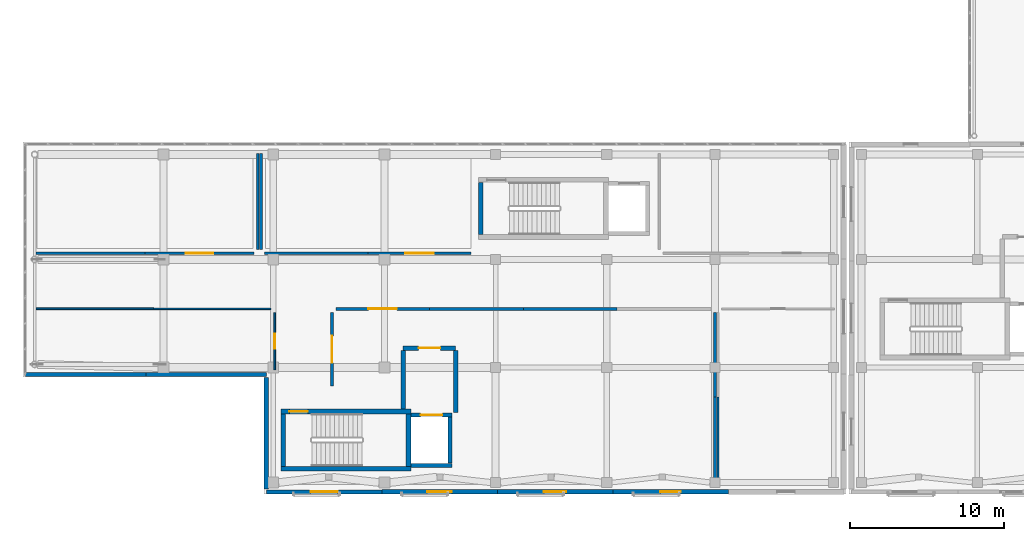
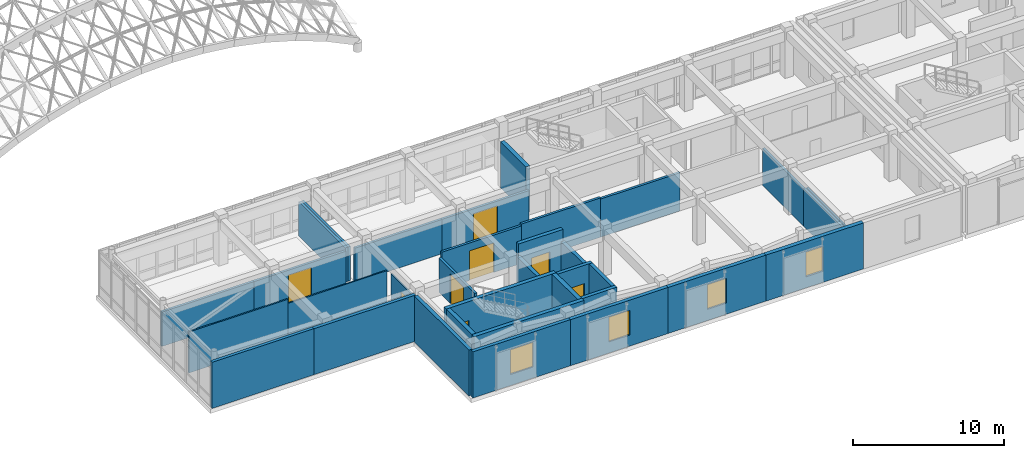
# One storey, part 130 of 146: 34 walls, 8 doors, 4 windows, 12 openings.
"""IFC4 building model written with IfcOpenShell, lengths in metres."""

from ifc_helpers import new_model, si_unit, direction, frame, frame_2d, origin, place, context, subcontext, project, spatial, rectangle, extrude, material, layer, layer_set, type_object, element, fill, save


model = new_model("IFC4")

# Units and contexts
model_context = context("Model", 3, precision=1e-05, world=origin(), true_north=direction((0.0, 1.0)))
body_context = subcontext(model_context, "Body", "Model", "MODEL_VIEW")
ifc_project = project(units=[si_unit("LENGTHUNIT", "METRE"), si_unit("AREAUNIT", "SQUARE_METRE"), si_unit("VOLUMEUNIT", "CUBIC_METRE"), si_unit("PLANEANGLEUNIT", "RADIAN"), si_unit("MASSUNIT", "GRAM", prefix="KILO")], contexts=[model_context])

# Site, building, storey
site_placement = place(None, origin())
site = spatial("IfcSite", under=ifc_project, at=site_placement, CompositionType="ELEMENT")
building_placement = place(site_placement, origin())
building = spatial("IfcBuilding", under=site, at=building_placement, Name="Valcora Specialist Clinic", CompositionType="ELEMENT")
storey_placement = place(building_placement, frame((0.0, 0.0, 9.52001953125)))
storey = spatial("IfcBuildingStorey", under=building, at=storey_placement, Name="L02", CompositionType="ELEMENT", Elevation=9.52001953125)

# Wall, opening, door
ifc_material_1 = material(Name="Concrete C40/50", Category="concrete")
ifc_layer_1 = layer(ifc_material_1, 0.284912109375)
ifc_layer_set_1 = layer_set([ifc_layer_1], Name="Concrete C40/50")
wall_type_1 = type_object("IfcWallType", Name="TY-WL-CR285", PredefinedType="SHEAR", material=ifc_layer_set_1)
wall_1_placement = place(storey_placement, frame((24.6201171875, 9.4599609375, 0.0), z_axis=(0.0, 0.0, 1.0), x_axis=(1.0, 0.0, 0.0)))
wall_1 = element("IfcWall", 1, at=wall_1_placement, inside=storey, type_object=wall_type_1, Name="Firefighting lobby front wall WL-FFL-LF-05-L02-F", PredefinedType="SHEAR", context=body_context, shape_type="SweptSolid", body=[
    extrude(rectangle(XDim=3.39990234375, YDim=0.284912109375, at=frame_2d((1.699951171875, 0.0))), origin(), (0.0, 0.0, 1.0), 3.73486328125),
])
opening_1_placement = place(wall_1_placement, frame((1.0, 0.0, 0.0)))
opening_1 = element("IfcOpeningElement", 2, at=opening_1_placement, cuts=wall_1, Name="Opening DR-FF-140", PredefinedType="OPENING", context=body_context, shape_type="SweptSolid", body=[
    extrude(rectangle(XDim=1.39990234375, YDim=2.25, at=frame_2d((0.699951171875, 1.125))), frame((0.0, 0.15234375, 0.0), z_axis=(0.0, -1.0, 0.0), x_axis=(1.0, 0.0, 0.0)), (0.0, 0.0, 1.0), 0.304931640625),
])
ifc_material_2 = material(Name="Galvanized Hollow Metal Door Steel ASTM A653", Category="steel")
door_type_1 = type_object("IfcDoorType", Name="TY-DR-FF140", OperationType="NOTDEFINED", PredefinedType="DOOR", material=ifc_material_2)
door_1_placement = place(opening_1_placement, origin())
door_1 = element("IfcDoor", 3, at=door_1_placement, inside=storey, type_object=door_type_1, Name="Firefighting lobby fire door LF-05 L02", OperationType="SINGLE_SWING_LEFT", OverallHeight=2.25, OverallWidth=1.39990234375, PredefinedType="DOOR", context=body_context, shape_type="SweptSolid", body=[
    extrude(rectangle(XDim=1.39990234375, YDim=2.25, at=frame_2d((0.699951171875, 1.125))), frame((0.0, 0.02490234375, 0.0), z_axis=(0.0, -1.0, 0.0), x_axis=(1.0, 0.0, 0.0)), (0.0, 0.0, 1.0), 0.050048828125),
])
fill(opening_1, door_1)

# Walls
wall_2_placement = place(storey_placement, frame((24.6201171875, 5.52001953125, 0.0), z_axis=(0.0, 0.0, 1.0), x_axis=(0.0, 1.0, 0.0)))
element("IfcWall", 4, at=wall_2_placement, inside=storey, type_object=wall_type_1, Name="Firefighting lobby west wall", PredefinedType="SHEAR", context=body_context, shape_type="SweptSolid", body=[
    extrude(rectangle(XDim=3.7900390625, YDim=0.284912109375, at=frame_2d((1.89501953125, 0.0))), origin(), (0.0, 0.0, 1.0), 2.784912109375),
])
wall_3_placement = place(storey_placement, frame((28.02001953125, 5.280029296875, 0.0), z_axis=(0.0, 0.0, 1.0), x_axis=(0.0, 1.0, 0.0)))
element("IfcWall", 5, at=wall_3_placement, inside=storey, type_object=wall_type_1, Name="Firefighting lobby east wall", PredefinedType="SHEAR", context=body_context, shape_type="SweptSolid", body=[
    extrude(rectangle(XDim=4.030029296875, YDim=0.284912109375, at=frame_2d((2.01513671875, 0.0))), origin(), (0.0, 0.0, 1.0), 2.784912109375),
])
ifc_layer_2 = layer(ifc_material_1, 0.300048828125)
ifc_layer_set_2 = layer_set([ifc_layer_2], Name="Concrete C40/50")
wall_type_2 = type_object("IfcWallType", Name="TY-WL-CR300", PredefinedType="SHEAR", material=ifc_layer_set_2)
wall_4_placement = place(storey_placement, frame((16.699951171875, 1.64990234375, 0.0), z_axis=(0.0, 0.0, 1.0), x_axis=(1.0, 0.0, 0.0)))
element("IfcWall", 6, at=wall_4_placement, inside=storey, type_object=wall_type_2, Name="Core shear wall WL-CR-C-V5A-L02-S", PredefinedType="SHEAR", context=body_context, shape_type="SweptSolid", body=[
    extrude(rectangle(XDim=8.420166015625, YDim=0.300048828125, at=frame_2d((4.2099609375, 0.0))), origin(), (0.0, 0.0, 1.0), 3.73486328125),
])

# Wall, opening, door
wall_5_placement = place(storey_placement, frame((16.699951171875, 5.35009765625, 0.0), z_axis=(0.0, 0.0, 1.0), x_axis=(1.0, 0.0, 0.0)))
wall_5 = element("IfcWall", 7, at=wall_5_placement, inside=storey, type_object=wall_type_2, Name="Core shear wall WL-CR-C-V5A-L02-N", PredefinedType="SHEAR", context=body_context, shape_type="SweptSolid", body=[
    extrude(rectangle(XDim=8.420166015625, YDim=0.300048828125, at=frame_2d((4.2099609375, 0.0))), origin(), (0.0, 0.0, 1.0), 3.73486328125),
])
opening_2_placement = place(wall_5_placement, frame((0.550048828125, 0.0, 0.0)))
opening_2 = element("IfcOpeningElement", 8, at=opening_2_placement, cuts=wall_5, Name="Opening DR-FD-120", PredefinedType="OPENING", context=body_context, shape_type="SweptSolid", body=[
    extrude(rectangle(XDim=1.199951171875, YDim=2.199951171875, at=frame_2d((0.60009765625, 1.10009765625))), frame((0.0, 0.159912109375, 0.0), z_axis=(0.0, -1.0, 0.0), x_axis=(1.0, 0.0, 0.0)), (0.0, 0.0, 1.0), 0.320068359375),
])
door_type_2 = type_object("IfcDoorType", Name="TY-DR-ST120", OperationType="NOTDEFINED", PredefinedType="DOOR", material=ifc_material_2)
door_2_placement = place(opening_2_placement, origin())
door_2 = element("IfcDoor", 9, at=door_2_placement, inside=storey, type_object=door_type_2, Name="Exit stair fire door C-V5A L02", OperationType="SINGLE_SWING_RIGHT", OverallHeight=2.199951171875, OverallWidth=1.199951171875, PredefinedType="DOOR", context=body_context, shape_type="SweptSolid", body=[
    extrude(rectangle(XDim=1.199951171875, YDim=2.199951171875, at=frame_2d((0.60009765625, 1.10009765625))), frame((0.0, 0.02490234375, 0.0), z_axis=(0.0, -1.0, 0.0), x_axis=(1.0, 0.0, 0.0)), (0.0, 0.0, 1.0), 0.050048828125),
])
fill(opening_2, door_2)

# Walls
for number, where, z_axis, x_axis, name in (
    (10, (16.85009765625, 1.802001953125, 0.0), (0.0, 0.0, 1.0), (0.0, 1.0, 0.0), "Core shear wall WL-CR-C-V5A-L02-W"),
    (11, (29.64990234375, 16.802001953125, 0.0), (0.0, 0.0, 1.0), (0.0, 1.0, 0.0), "Core shear wall WL-CR-C-V5B-L02-W"),
):
    element("IfcWall", number, at=place(storey_placement, frame(where, z_axis=z_axis, x_axis=x_axis)), inside=storey, type_object=wall_type_2, Name=name, PredefinedType="SHEAR", context=body_context, shape_type="SweptSolid", body=[
        extrude(rectangle(XDim=3.39599609375, YDim=0.300048828125, at=frame_2d((1.697998046875, 0.0))), origin(), (0.0, 0.0, 1.0), 3.73486328125),
    ])
ifc_layer_3 = layer(ifc_material_1, 0.320068359375)
ifc_layer_set_3 = layer_set([ifc_layer_3], Name="Concrete C40/50")
wall_type_3 = type_object("IfcWallType", Name="TY-WL-CR320", PredefinedType="SHEAR", material=ifc_layer_set_3)
wall_6_placement = place(storey_placement, frame((24.9599609375, 1.802001953125, 0.0), z_axis=(0.0, 0.0, 1.0), x_axis=(0.0, 1.0, 0.0)))
element("IfcWall", 12, at=wall_6_placement, inside=storey, type_object=wall_type_3, Name="Core shear wall WL-CR-C-V5A-L02-E", PredefinedType="SHEAR", context=body_context, shape_type="SweptSolid", body=[
    extrude(rectangle(XDim=3.39599609375, YDim=0.320068359375, at=frame_2d((1.697998046875, 0.0))), origin(), (0.0, 0.0, 1.0), 3.73486328125),
])
ifc_material_3 = material(Name="Extruded Jalisco Clay Brick Masonry", Category="masonry")
ifc_layer_4 = layer(ifc_material_3, 0.235107421875)
ifc_layer_set_4 = layer_set([ifc_layer_4], Name="Extruded Jalisco Clay Brick Masonry")
wall_type_4 = type_object("IfcWallType", Name="TY-WL-EW235", PredefinedType="SOLIDWALL", material=ifc_layer_set_4)
wall_7_placement = place(storey_placement, frame((7.949951171875, 7.75, 0.0), z_axis=(0.0, 0.0, 1.0), x_axis=(-1.0, 0.0, 0.0)))
element("IfcWall", 13, at=wall_7_placement, inside=storey, type_object=wall_type_4, Name="Exterior wall WL-EXT-L02-0260", PredefinedType="SOLIDWALL", context=body_context, shape_type="SweptSolid", body=[
    extrude(rectangle(XDim=7.800048828125, YDim=0.235107421875, at=frame_2d((3.89990234375, 0.0))), origin(), (0.0, 0.0, 1.0), 3.73486328125),
])
ifc_layer_5 = layer(ifc_material_3, 0.25)
ifc_layer_set_5 = layer_set([ifc_layer_5], Name="Extruded Jalisco Clay Brick Masonry")
wall_type_5 = type_object("IfcWallType", Name="TY-WL-EW250", PredefinedType="SOLIDWALL", material=ifc_layer_set_5)
wall_8_placement = place(storey_placement, frame((15.75, 7.75, 0.0), z_axis=(0.0, 0.0, 1.0), x_axis=(-1.0, 0.0, 0.0)))
element("IfcWall", 14, at=wall_8_placement, inside=storey, type_object=wall_type_5, Name="Exterior wall WL-EXT-L02-0259", PredefinedType="SOLIDWALL", context=body_context, shape_type="SweptSolid", body=[
    extrude(rectangle(XDim=7.800048828125, YDim=0.25, at=frame_2d((3.89990234375, 0.0))), origin(), (0.0, 0.0, 1.0), 3.73486328125),
])
ifc_layer_6 = layer(ifc_material_3, 0.264892578125)
ifc_layer_set_6 = layer_set([ifc_layer_6], Name="Extruded Jalisco Clay Brick Masonry")
wall_type_6 = type_object("IfcWallType", Name="TY-WL-EW265", PredefinedType="SOLIDWALL", material=ifc_layer_set_6)
wall_9_placement = place(storey_placement, frame((15.75, 0.340087890625, 0.0), z_axis=(0.0, 0.0, 1.0), x_axis=(0.0, 1.0, 0.0)))
element("IfcWall", 15, at=wall_9_placement, inside=storey, type_object=wall_type_6, Name="Exterior wall WL-EXT-L02-0258", PredefinedType="SOLIDWALL", context=body_context, shape_type="SweptSolid", body=[
    extrude(rectangle(XDim=7.219970703125, YDim=0.264892578125, at=frame_2d((3.60986328125, 0.0))), origin(), (0.0, 0.0, 1.0), 3.73486328125),
])

# Wall, opening, window
wall_10_placement = place(storey_placement, frame((23.22998046875, 0.14990234375, 0.0), z_axis=(0.0, 0.0, 1.0), x_axis=(-1.0, 0.0, 0.0)))
wall_10 = element("IfcWall", 16, at=wall_10_placement, inside=storey, type_object=wall_type_6, Name="Exterior wall WL-EXT-L02-0268", PredefinedType="SOLIDWALL", context=body_context, shape_type="SweptSolid", body=[
    extrude(rectangle(XDim=7.47998046875, YDim=0.264892578125, at=frame_2d((3.739990234375, 0.0))), origin(), (0.0, 0.0, 1.0), 3.73486328125),
])
opening_3_placement = place(wall_10_placement, frame((2.864990234375, 0.0, 0.89990234375)))
opening_3 = element("IfcOpeningElement", 17, at=opening_3_placement, cuts=wall_10, Name="Opening WN-25", PredefinedType="OPENING", context=body_context, shape_type="SweptSolid", body=[
    extrude(rectangle(XDim=1.75, YDim=2.0, at=frame_2d((0.875, 1.0))), frame((0.0, 0.142333984375, 0.0), z_axis=(0.0, -1.0, 0.0), x_axis=(1.0, 0.0, 0.0)), (0.0, 0.0, 1.0), 0.284912109375),
])
ifc_material_4 = material(Name="Low-E Laminated Insulating Glass", Category="glass")
window_type_1 = type_object("IfcWindowType", Name="TY-WN-25", PartitioningType="SINGLE_PANEL", PredefinedType="WINDOW", material=ifc_material_4)
window_1_placement = place(opening_3_placement, origin())
window_1 = element("IfcWindow", 18, at=window_1_placement, inside=storey, type_object=window_type_1, Name="Facade window WN-L02-0235", OverallHeight=2.0, OverallWidth=1.75, PartitioningType="SINGLE_PANEL", PredefinedType="WINDOW", context=body_context, shape_type="SweptSolid", body=[
    extrude(rectangle(XDim=1.75, YDim=2.0, at=frame_2d((0.875, 1.0))), frame((0.0, 0.030029296875, 0.0), z_axis=(0.0, -1.0, 0.0), x_axis=(1.0, 0.0, 0.0)), (0.0, 0.0, 1.0), 0.06005859375),
])
fill(opening_3, window_1)

ifc_layer_7 = layer(ifc_material_3, 0.280029296875)
ifc_layer_set_7 = layer_set([ifc_layer_7], Name="Extruded Jalisco Clay Brick Masonry")
wall_type_7 = type_object("IfcWallType", Name="TY-WL-EW280", PredefinedType="SOLIDWALL", material=ifc_layer_set_7)
wall_11_placement = place(storey_placement, frame((30.7099609375, 0.14990234375, 0.0), z_axis=(0.0, 0.0, 1.0), x_axis=(-1.0, 0.0, 0.0)))
wall_11 = element("IfcWall", 19, at=wall_11_placement, inside=storey, type_object=wall_type_7, Name="Exterior wall WL-EXT-L02-0267", PredefinedType="SOLIDWALL", context=body_context, shape_type="SweptSolid", body=[
    extrude(rectangle(XDim=7.47998046875, YDim=0.280029296875, at=frame_2d((3.739990234375, 0.0))), origin(), (0.0, 0.0, 1.0), 3.73486328125),
])
opening_4_placement = place(wall_11_placement, frame((2.93994140625, 0.0, 0.89990234375)))
opening_4 = element("IfcOpeningElement", 20, at=opening_4_placement, cuts=wall_11, Name="Opening WN-24", PredefinedType="OPENING", context=body_context, shape_type="SweptSolid", body=[
    extrude(rectangle(XDim=1.60009765625, YDim=2.0, at=frame_2d((0.800048828125, 1.0))), frame((0.0, 0.14990234375, 0.0), z_axis=(0.0, -1.0, 0.0), x_axis=(1.0, 0.0, 0.0)), (0.0, 0.0, 1.0), 0.300048828125),
])
window_type_2 = type_object("IfcWindowType", Name="TY-WN-24", PartitioningType="SINGLE_PANEL", PredefinedType="WINDOW", material=ifc_material_4)
window_2_placement = place(opening_4_placement, origin())
window_2 = element("IfcWindow", 21, at=window_2_placement, inside=storey, type_object=window_type_2, Name="Facade window WN-L02-0234", OverallHeight=2.0, OverallWidth=1.60009765625, PartitioningType="SINGLE_PANEL", PredefinedType="WINDOW", context=body_context, shape_type="SweptSolid", body=[
    extrude(rectangle(XDim=1.60009765625, YDim=2.0, at=frame_2d((0.800048828125, 1.0))), frame((0.0, 0.030029296875, 0.0), z_axis=(0.0, -1.0, 0.0), x_axis=(1.0, 0.0, 0.0)), (0.0, 0.0, 1.0), 0.06005859375),
])
fill(opening_4, window_2)

ifc_layer_8 = layer(ifc_material_3, 0.294921875)
ifc_layer_set_8 = layer_set([ifc_layer_8], Name="Extruded Jalisco Clay Brick Masonry")
wall_type_8 = type_object("IfcWallType", Name="TY-WL-EW295", PredefinedType="SOLIDWALL", material=ifc_layer_set_8)
wall_12_placement = place(storey_placement, frame((38.18994140625, 0.14990234375, 0.0), z_axis=(0.0, 0.0, 1.0), x_axis=(-1.0, 0.0, 0.0)))
wall_12 = element("IfcWall", 22, at=wall_12_placement, inside=storey, type_object=wall_type_8, Name="Exterior wall WL-EXT-L02-0266", PredefinedType="SOLIDWALL", context=body_context, shape_type="SweptSolid", body=[
    extrude(rectangle(XDim=7.47998046875, YDim=0.294921875, at=frame_2d((3.739990234375, 0.0))), origin(), (0.0, 0.0, 1.0), 3.73486328125),
])
opening_5_placement = place(wall_12_placement, frame((3.014892578125, 0.0, 0.89990234375)))
opening_5 = element("IfcOpeningElement", 23, at=opening_5_placement, cuts=wall_12, Name="Opening WN-23", PredefinedType="OPENING", context=body_context, shape_type="SweptSolid", body=[
    extrude(rectangle(XDim=1.449951171875, YDim=2.0, at=frame_2d((0.72509765625, 1.0))), frame((0.0, 0.157470703125, 0.0), z_axis=(0.0, -1.0, 0.0), x_axis=(1.0, 0.0, 0.0)), (0.0, 0.0, 1.0), 0.31494140625),
])
window_type_3 = type_object("IfcWindowType", Name="TY-WN-23", PartitioningType="SINGLE_PANEL", PredefinedType="WINDOW", material=ifc_material_4)
window_3_placement = place(opening_5_placement, origin())
window_3 = element("IfcWindow", 24, at=window_3_placement, inside=storey, type_object=window_type_3, Name="Facade window WN-L02-0233", OverallHeight=2.0, OverallWidth=1.449951171875, PartitioningType="SINGLE_PANEL", PredefinedType="WINDOW", context=body_context, shape_type="SweptSolid", body=[
    extrude(rectangle(XDim=1.449951171875, YDim=2.0, at=frame_2d((0.72509765625, 1.0))), frame((0.0, 0.030029296875, 0.0), z_axis=(0.0, -1.0, 0.0), x_axis=(1.0, 0.0, 0.0)), (0.0, 0.0, 1.0), 0.06005859375),
])
fill(opening_5, window_3)

ifc_layer_9 = layer(ifc_material_3, 0.31005859375)
ifc_layer_set_9 = layer_set([ifc_layer_9], Name="Extruded Jalisco Clay Brick Masonry")
wall_type_9 = type_object("IfcWallType", Name="TY-WL-EW310", PredefinedType="SOLIDWALL", material=ifc_layer_set_9)
wall_13_placement = place(storey_placement, frame((45.669921875, 0.14990234375, 0.0), z_axis=(0.0, 0.0, 1.0), x_axis=(-1.0, 0.0, 0.0)))
wall_13 = element("IfcWall", 25, at=wall_13_placement, inside=storey, type_object=wall_type_9, Name="Exterior wall WL-EXT-L02-0265", PredefinedType="SOLIDWALL", context=body_context, shape_type="SweptSolid", body=[
    extrude(rectangle(XDim=7.47998046875, YDim=0.31005859375, at=frame_2d((3.739990234375, 0.0))), origin(), (0.0, 0.0, 1.0), 3.73486328125),
])
opening_6_placement = place(wall_13_placement, frame((3.090087890625, 0.0, 0.89990234375)))
opening_6 = element("IfcOpeningElement", 26, at=opening_6_placement, cuts=wall_13, Name="Opening WN-22", PredefinedType="OPENING", context=body_context, shape_type="SweptSolid", body=[
    extrude(rectangle(XDim=1.300048828125, YDim=2.0, at=frame_2d((0.64990234375, 1.0))), frame((0.0, 0.1650390625, 0.0), z_axis=(0.0, -1.0, 0.0), x_axis=(1.0, 0.0, 0.0)), (0.0, 0.0, 1.0), 0.330078125),
])
window_type_4 = type_object("IfcWindowType", Name="TY-WN-22", PartitioningType="SINGLE_PANEL", PredefinedType="WINDOW", material=ifc_material_4)
window_4_placement = place(opening_6_placement, origin())
window_4 = element("IfcWindow", 27, at=window_4_placement, inside=storey, type_object=window_type_4, Name="Facade window WN-L02-0232", OverallHeight=2.0, OverallWidth=1.300048828125, PartitioningType="SINGLE_PANEL", PredefinedType="WINDOW", context=body_context, shape_type="SweptSolid", body=[
    extrude(rectangle(XDim=1.300048828125, YDim=2.0, at=frame_2d((0.64990234375, 1.0))), frame((0.0, 0.030029296875, 0.0), z_axis=(0.0, -1.0, 0.0), x_axis=(1.0, 0.0, 0.0)), (0.0, 0.0, 1.0), 0.06005859375),
])
fill(opening_6, window_4)

# Walls
ifc_material_5 = material(Name="Gypsum Board Partition Assembly")
ifc_layer_10 = layer(ifc_material_5, 0.10498046875)
ifc_layer_set_10 = layer_set([ifc_layer_10], Name="Gypsum Board Partition Assembly")
wall_type_10 = type_object("IfcWallType", Name="TY-WL-PT105", PredefinedType="PARTITIONING", material=ifc_layer_set_10)
wall_14_placement = place(storey_placement, frame((8.449951171875, 12.0, 0.0), z_axis=(0.0, 0.0, 1.0), x_axis=(1.0, 0.0, 0.0)))
element("IfcWall", 28, at=wall_14_placement, inside=storey, type_object=wall_type_10, Name="Interior partition WL-INT-L02-0352", PredefinedType="PARTITIONING", context=body_context, shape_type="SweptSolid", body=[
    extrude(rectangle(XDim=7.60009765625, YDim=0.10498046875, at=frame_2d((3.800048828125, 0.0))), origin(), (0.0, 0.0, 1.0), 2.98486328125),
])
ifc_layer_11 = layer(ifc_material_5, 0.114990234375)
ifc_layer_set_11 = layer_set([ifc_layer_11], Name="Gypsum Board Partition Assembly")
wall_type_11 = type_object("IfcWallType", Name="TY-WL-PT115", PredefinedType="PARTITIONING", material=ifc_layer_set_11)
wall_15_placement = place(storey_placement, frame((0.85009765625, 12.0, 0.0), z_axis=(0.0, 0.0, 1.0), x_axis=(1.0, 0.0, 0.0)))
element("IfcWall", 29, at=wall_15_placement, inside=storey, type_object=wall_type_11, Name="Interior partition WL-INT-L02-0351", PredefinedType="PARTITIONING", context=body_context, shape_type="SweptSolid", body=[
    extrude(rectangle(XDim=7.599853515625, YDim=0.114990234375, at=frame_2d((3.7998046875, 0.0))), origin(), (0.0, 0.0, 1.0), 3.324951171875),
])

# Wall, opening, door
ifc_layer_12 = layer(ifc_material_5, 0.125)
ifc_layer_set_12 = layer_set([ifc_layer_12], Name="Gypsum Board Partition Assembly")
wall_type_12 = type_object("IfcWallType", Name="TY-WL-PT125", PredefinedType="PARTITIONING", material=ifc_layer_set_12)
wall_16_placement = place(storey_placement, frame((16.300048828125, 11.75, 0.0), z_axis=(0.0, 0.0, 1.0), x_axis=(0.0, -1.0, 0.0)))
wall_16 = element("IfcWall", 30, at=wall_16_placement, inside=storey, type_object=wall_type_12, Name="Interior partition WL-INT-L02-0350", PredefinedType="PARTITIONING", context=body_context, shape_type="SweptSolid", body=[
    extrude(rectangle(XDim=3.699951171875, YDim=0.125, at=frame_2d((1.85009765625, 0.0))), origin(), (0.0, 0.0, 1.0), 2.784912109375),
])
opening_7_placement = place(wall_16_placement, frame((1.360107421875, 0.0, 0.0)))
opening_7 = element("IfcOpeningElement", 31, at=opening_7_placement, cuts=wall_16, Name="Opening DR-CN-098", PredefinedType="OPENING", context=body_context, shape_type="SweptSolid", body=[
    extrude(rectangle(XDim=0.97998046875, YDim=2.14990234375, at=frame_2d((0.489990234375, 1.074951171875))), frame((0.0, 0.072509765625, 0.0), z_axis=(0.0, -1.0, 0.0), x_axis=(1.0, 0.0, 0.0)), (0.0, 0.0, 1.0), 0.14501953125),
])
ifc_material_6 = material(Name="Glulam Conifer Class 24F", Category="wood")
door_type_3 = type_object("IfcDoorType", Name="TY-DR-CN098", OperationType="NOTDEFINED", PredefinedType="DOOR", material=ifc_material_6)
door_3_placement = place(opening_7_placement, origin())
door_3 = element("IfcDoor", 32, at=door_3_placement, inside=storey, type_object=door_type_3, Name="Interior door DR-INT-L02-0098", OperationType="SINGLE_SWING_RIGHT", OverallHeight=2.14990234375, OverallWidth=0.97998046875, PredefinedType="DOOR", context=body_context, shape_type="SweptSolid", body=[
    extrude(rectangle(XDim=0.97998046875, YDim=2.14990234375, at=frame_2d((0.489990234375, 1.074951171875))), frame((0.0, 0.02490234375, 0.0), z_axis=(0.0, -1.0, 0.0), x_axis=(1.0, 0.0, 0.0)), (0.0, 0.0, 1.0), 0.050048828125),
])
fill(opening_7, door_3)

# Walls
ifc_layer_13 = layer(ifc_material_5, 0.14501953125)
ifc_layer_set_13 = layer_set([ifc_layer_13], Name="Gypsum Board Partition Assembly")
wall_type_13 = type_object("IfcWallType", Name="TY-WL-PT145", PredefinedType="PARTITIONING", material=ifc_layer_set_13)
wall_17_placement = place(storey_placement, frame((45.0, 0.85009765625, 0.0), z_axis=(0.0, 0.0, 1.0), x_axis=(0.0, 1.0, 0.0)))
element("IfcWall", 33, at=wall_17_placement, inside=storey, type_object=wall_type_13, Name="Interior partition WL-INT-L02-0354", PredefinedType="PARTITIONING", context=body_context, shape_type="SweptSolid", body=[
    extrude(rectangle(XDim=5.449951171875, YDim=0.14501953125, at=frame_2d((2.72509765625, 0.0))), origin(), (0.0, 0.0, 1.0), 3.034912109375),
])
ifc_layer_14 = layer(ifc_material_5, 0.18505859375)
ifc_layer_set_14 = layer_set([ifc_layer_14], Name="Gypsum Board Partition Assembly")
wall_type_14 = type_object("IfcWallType", Name="TY-WL-PT185", PredefinedType="PARTITIONING", material=ifc_layer_set_14)
wall_18_placement = place(storey_placement, frame((15.199951171875, 22.050048828125, 0.0), z_axis=(0.0, 0.0, 1.0), x_axis=(0.0, -1.0, 0.0)))
element("IfcWall", 34, at=wall_18_placement, inside=storey, type_object=wall_type_14, Name="Interior partition WL-INT-L02-0337", PredefinedType="PARTITIONING", context=body_context, shape_type="SweptSolid", body=[
    extrude(rectangle(XDim=6.199951171875, YDim=0.18505859375, at=frame_2d((3.10009765625, 0.0))), origin(), (0.0, 0.0, 1.0), 2.784912109375),
])

# Wall, opening, door
wall_19_placement = place(storey_placement, frame((14.949951171875, 15.60009765625, 0.0), z_axis=(0.0, 0.0, 1.0), x_axis=(-1.0, 0.0, 0.0)))
wall_19 = element("IfcWall", 35, at=wall_19_placement, inside=storey, type_object=wall_type_14, Name="Interior partition WL-INT-L02-0338", PredefinedType="PARTITIONING", context=body_context, shape_type="SweptSolid", body=[
    extrude(rectangle(XDim=7.050048828125, YDim=0.18505859375, at=frame_2d((3.52490234375, 0.0))), origin(), (0.0, 0.0, 1.0), 2.784912109375),
])
opening_8_placement = place(wall_19_placement, frame((2.64990234375, 0.0, 0.0)))
opening_8 = element("IfcOpeningElement", 36, at=opening_8_placement, cuts=wall_19, Name="Opening DR-OR-175", PredefinedType="OPENING", context=body_context, shape_type="SweptSolid", body=[
    extrude(rectangle(XDim=1.75, YDim=2.39990234375, at=frame_2d((0.875, 1.199951171875))), frame((0.0, 0.1025390625, 0.0), z_axis=(0.0, -1.0, 0.0), x_axis=(1.0, 0.0, 0.0)), (0.0, 0.0, 1.0), 0.205078125),
])
ifc_material_7 = material(Name="Stainless Steel AISI 316", Category="steel")
door_type_4 = type_object("IfcDoorType", Name="TY-DR-OR175", OperationType="NOTDEFINED", PredefinedType="DOOR", material=ifc_material_7)
door_4_placement = place(opening_8_placement, origin())
door_4 = element("IfcDoor", 37, at=door_4_placement, inside=storey, type_object=door_type_4, Name="Interior door DR-INT-L02-0094", OperationType="SINGLE_SWING_RIGHT", OverallHeight=2.39990234375, OverallWidth=1.75, PredefinedType="DOOR", context=body_context, shape_type="SweptSolid", body=[
    extrude(rectangle(XDim=1.75, YDim=2.39990234375, at=frame_2d((0.875, 1.199951171875))), frame((0.0, 0.02490234375, 0.0), z_axis=(0.0, -1.0, 0.0), x_axis=(1.0, 0.0, 0.0)), (0.0, 0.0, 1.0), 0.050048828125),
])
fill(opening_8, door_4)

# Wall
wall_20_placement = place(storey_placement, frame((7.89990234375, 15.60009765625, 0.0), z_axis=(0.0, 0.0, 1.0), x_axis=(-1.0, 0.0, 0.0)))
element("IfcWall", 38, at=wall_20_placement, inside=storey, type_object=wall_type_14, Name="Interior partition WL-INT-L02-0339", PredefinedType="PARTITIONING", context=body_context, shape_type="SweptSolid", body=[
    extrude(rectangle(XDim=7.0498046875, YDim=0.18505859375, at=frame_2d((3.52490234375, 0.0))), origin(), (0.0, 0.0, 1.0), 2.784912109375),
])

# Wall, opening, door
wall_21_placement = place(storey_placement, frame((29.0, 15.60009765625, 0.0), z_axis=(0.0, 0.0, 1.0), x_axis=(-1.0, 0.0, 0.0)))
wall_21 = element("IfcWall", 39, at=wall_21_placement, inside=storey, type_object=wall_type_14, Name="Interior partition WL-INT-L02-0340", PredefinedType="PARTITIONING", context=body_context, shape_type="SweptSolid", body=[
    extrude(rectangle(XDim=6.675048828125, YDim=0.18505859375, at=frame_2d((3.33740234375, 0.0))), origin(), (0.0, 0.0, 1.0), 2.784912109375),
])
opening_9_placement = place(wall_21_placement, frame((2.4130859375, 0.0, 0.0)))
opening_9 = element("IfcOpeningElement", 40, at=opening_9_placement, cuts=wall_21, Name="Opening DR-OR-185", PredefinedType="OPENING", context=body_context, shape_type="SweptSolid", body=[
    extrude(rectangle(XDim=1.85009765625, YDim=2.39990234375, at=frame_2d((0.925048828125, 1.199951171875))), frame((0.0, 0.1025390625, 0.0), z_axis=(0.0, -1.0, 0.0), x_axis=(1.0, 0.0, 0.0)), (0.0, 0.0, 1.0), 0.205078125),
])
door_type_5 = type_object("IfcDoorType", Name="TY-DR-OR185", OperationType="NOTDEFINED", PredefinedType="DOOR", material=ifc_material_7)
door_5_placement = place(opening_9_placement, origin())
door_5 = element("IfcDoor", 41, at=door_5_placement, inside=storey, type_object=door_type_5, Name="Interior door DR-INT-L02-0095", OperationType="SINGLE_SWING_LEFT", OverallHeight=2.39990234375, OverallWidth=1.85009765625, PredefinedType="DOOR", context=body_context, shape_type="SweptSolid", body=[
    extrude(rectangle(XDim=1.85009765625, YDim=2.39990234375, at=frame_2d((0.925048828125, 1.199951171875))), frame((0.0, 0.02490234375, 0.0), z_axis=(0.0, -1.0, 0.0), x_axis=(1.0, 0.0, 0.0)), (0.0, 0.0, 1.0), 0.050048828125),
])
fill(opening_9, door_5)

# Walls
wall_22_placement = place(storey_placement, frame((22.324951171875, 15.60009765625, 0.0), z_axis=(0.0, 0.0, 1.0), x_axis=(-1.0, 0.0, 0.0)))
element("IfcWall", 42, at=wall_22_placement, inside=storey, type_object=wall_type_14, Name="Interior partition WL-INT-L02-0341", PredefinedType="PARTITIONING", context=body_context, shape_type="SweptSolid", body=[
    extrude(rectangle(XDim=6.675048828125, YDim=0.18505859375, at=frame_2d((3.33740234375, 0.0))), origin(), (0.0, 0.0, 1.0), 2.784912109375),
])
wall_23_placement = place(storey_placement, frame((15.39990234375, 15.85009765625, 0.0), z_axis=(0.0, 0.0, 1.0), x_axis=(0.0, 1.0, 0.0)))
element("IfcWall", 43, at=wall_23_placement, inside=storey, type_object=wall_type_14, Name="Interior partition WL-INT-L02-0342", PredefinedType="PARTITIONING", context=body_context, shape_type="SweptSolid", body=[
    extrude(rectangle(XDim=6.199951171875, YDim=0.18505859375, at=frame_2d((3.10009765625, 0.0))), origin(), (0.0, 0.0, 1.0), 2.784912109375),
])
wall_24_placement = place(storey_placement, frame((44.800048828125, 11.75, 0.0), z_axis=(0.0, 0.0, 1.0), x_axis=(0.0, -1.0, 0.0)))
element("IfcWall", 44, at=wall_24_placement, inside=storey, type_object=wall_type_14, Name="Interior partition WL-INT-L02-0343", PredefinedType="PARTITIONING", context=body_context, shape_type="SweptSolid", body=[
    extrude(rectangle(XDim=5.449951171875, YDim=0.18505859375, at=frame_2d((2.72509765625, 0.0))), origin(), (0.0, 0.0, 1.0), 2.98486328125),
])
wall_25_placement = place(storey_placement, frame((44.800048828125, 6.300048828125, 0.0), z_axis=(0.0, 0.0, 1.0), x_axis=(0.0, -1.0, 0.0)))
element("IfcWall", 45, at=wall_25_placement, inside=storey, type_object=wall_type_14, Name="Interior partition WL-INT-L02-0344", PredefinedType="PARTITIONING", context=body_context, shape_type="SweptSolid", body=[
    extrude(rectangle(XDim=5.449951171875, YDim=0.18505859375, at=frame_2d((2.72509765625, 0.0))), origin(), (0.0, 0.0, 1.0), 3.034912109375),
])

# Wall, opening, door
wall_26_placement = place(storey_placement, frame((20.0, 7.0, 0.0), z_axis=(0.0, 0.0, 1.0), x_axis=(0.0, 1.0, 0.0)))
wall_26 = element("IfcWall", 46, at=wall_26_placement, inside=storey, type_object=wall_type_14, Name="Interior partition WL-INT-L02-0345", PredefinedType="PARTITIONING", context=body_context, shape_type="SweptSolid", body=[
    extrude(rectangle(XDim=4.75, YDim=0.18505859375, at=frame_2d((2.375, 0.0))), origin(), (0.0, 0.0, 1.0), 2.784912109375),
])
opening_10_placement = place(wall_26_placement, frame((1.5, 0.0, 0.0)))
opening_10 = element("IfcOpeningElement", 47, at=opening_10_placement, cuts=wall_26, Name="Opening DR-OR-175", PredefinedType="OPENING", context=body_context, shape_type="SweptSolid", body=[
    extrude(rectangle(XDim=1.75, YDim=2.39990234375, at=frame_2d((0.875, 1.199951171875))), frame((0.0, 0.1025390625, 0.0), z_axis=(0.0, -1.0, 0.0), x_axis=(1.0, 0.0, 0.0)), (0.0, 0.0, 1.0), 0.205078125),
])
door_6_placement = place(opening_10_placement, origin())
door_6 = element("IfcDoor", 48, at=door_6_placement, inside=storey, type_object=door_type_4, Name="Interior door DR-INT-L02-0096", OperationType="SINGLE_SWING_RIGHT", OverallHeight=2.39990234375, OverallWidth=1.75, PredefinedType="DOOR", context=body_context, shape_type="SweptSolid", body=[
    extrude(rectangle(XDim=1.75, YDim=2.39990234375, at=frame_2d((0.875, 1.199951171875))), frame((0.0, 0.02490234375, 0.0), z_axis=(0.0, -1.0, 0.0), x_axis=(1.0, 0.0, 0.0)), (0.0, 0.0, 1.0), 0.050048828125),
])
fill(opening_10, door_6)

wall_27_placement = place(storey_placement, frame((20.25, 12.0, 0.0), z_axis=(0.0, 0.0, 1.0), x_axis=(1.0, 0.0, 0.0)))
wall_27 = element("IfcWall", 49, at=wall_27_placement, inside=storey, type_object=wall_type_14, Name="Interior partition WL-INT-L02-0346", PredefinedType="PARTITIONING", context=body_context, shape_type="SweptSolid", body=[
    extrude(rectangle(XDim=6.074951171875, YDim=0.18505859375, at=frame_2d((3.03759765625, 0.0))), origin(), (0.0, 0.0, 1.0), 3.034912109375),
])
opening_11_placement = place(wall_27_placement, frame((2.112060546875, 0.0, 0.0)))
opening_11 = element("IfcOpeningElement", 50, at=opening_11_placement, cuts=wall_27, Name="Opening DR-OR-185", PredefinedType="OPENING", context=body_context, shape_type="SweptSolid", body=[
    extrude(rectangle(XDim=1.85009765625, YDim=2.39990234375, at=frame_2d((0.925048828125, 1.199951171875))), frame((0.0, 0.1025390625, 0.0), z_axis=(0.0, -1.0, 0.0), x_axis=(1.0, 0.0, 0.0)), (0.0, 0.0, 1.0), 0.205078125),
])
door_7_placement = place(opening_11_placement, origin())
door_7 = element("IfcDoor", 51, at=door_7_placement, inside=storey, type_object=door_type_5, Name="Interior door DR-INT-L02-0097", OperationType="SINGLE_SWING_LEFT", OverallHeight=2.39990234375, OverallWidth=1.85009765625, PredefinedType="DOOR", context=body_context, shape_type="SweptSolid", body=[
    extrude(rectangle(XDim=1.85009765625, YDim=2.39990234375, at=frame_2d((0.925048828125, 1.199951171875))), frame((0.0, 0.02490234375, 0.0), z_axis=(0.0, -1.0, 0.0), x_axis=(1.0, 0.0, 0.0)), (0.0, 0.0, 1.0), 0.050048828125),
])
fill(opening_11, door_7)

# Walls
wall_28_placement = place(storey_placement, frame((26.324951171875, 12.0, 0.0), z_axis=(0.0, 0.0, 1.0), x_axis=(1.0, 0.0, 0.0)))
element("IfcWall", 52, at=wall_28_placement, inside=storey, type_object=wall_type_14, Name="Interior partition WL-INT-L02-0347", PredefinedType="PARTITIONING", context=body_context, shape_type="SweptSolid", body=[
    extrude(rectangle(XDim=6.074951171875, YDim=0.18505859375, at=frame_2d((3.03759765625, 0.0))), origin(), (0.0, 0.0, 1.0), 3.18505859375),
])
wall_29_placement = place(storey_placement, frame((32.39990234375, 12.0, 0.0), z_axis=(0.0, 0.0, 1.0), x_axis=(1.0, 0.0, 0.0)))
element("IfcWall", 53, at=wall_29_placement, inside=storey, type_object=wall_type_14, Name="Interior partition WL-INT-L02-0348", PredefinedType="PARTITIONING", context=body_context, shape_type="SweptSolid", body=[
    extrude(rectangle(XDim=6.0751953125, YDim=0.18505859375, at=frame_2d((3.03759765625, 0.0))), origin(), (0.0, 0.0, 1.0), 3.0849609375),
])
ifc_layer_15 = layer(ifc_material_1, 0.260009765625)
ifc_layer_set_15 = layer_set([ifc_layer_15], Name="Concrete C40/50")
wall_type_15 = type_object("IfcWallType", Name="TY-WL-SH260", PredefinedType="SHEAR", material=ifc_layer_set_15)
wall_30_placement = place(storey_placement, frame((25.1220703125, 1.8701171875, 0.0), z_axis=(0.0, 0.0, 1.0), x_axis=(1.0, 0.0, 0.0)))
element("IfcWall", 54, at=wall_30_placement, inside=storey, type_object=wall_type_15, Name="Lift shaft wall WL-LF-LF-05-L02-LS", PredefinedType="SHEAR", context=body_context, shape_type="SweptSolid", body=[
    extrude(rectangle(XDim=2.657958984375, YDim=0.260009765625, at=frame_2d((1.3291015625, 0.0))), origin(), (0.0, 0.0, 1.0), 3.73486328125),
])

# Wall, opening, door
wall_31_placement = place(storey_placement, frame((25.1220703125, 5.1298828125, 0.0), z_axis=(0.0, 0.0, 1.0), x_axis=(1.0, 0.0, 0.0)))
wall_31 = element("IfcWall", 55, at=wall_31_placement, inside=storey, type_object=wall_type_15, Name="Lift shaft wall WL-LF-LF-05-L02-LN", PredefinedType="SHEAR", context=body_context, shape_type="SweptSolid", body=[
    extrude(rectangle(XDim=2.657958984375, YDim=0.260009765625, at=frame_2d((1.3291015625, 0.0))), origin(), (0.0, 0.0, 1.0), 3.73486328125),
])
opening_12_placement = place(wall_31_placement, frame((0.618896484375, 0.0, 0.0)))
opening_12 = element("IfcOpeningElement", 56, at=opening_12_placement, cuts=wall_31, Name="Opening LD-142", PredefinedType="OPENING", context=body_context, shape_type="SweptSolid", body=[
    extrude(rectangle(XDim=1.419921875, YDim=2.25, at=frame_2d((0.7099609375, 1.125))), frame((0.0, 0.139892578125, 0.0), z_axis=(0.0, -1.0, 0.0), x_axis=(1.0, 0.0, 0.0)), (0.0, 0.0, 1.0), 0.280029296875),
])
door_type_6 = type_object("IfcDoorType", Name="TY-LD-142", OperationType="NOTDEFINED", PredefinedType="DOOR", material=ifc_material_7)
door_8_placement = place(opening_12_placement, origin())
door_8 = element("IfcDoor", 57, at=door_8_placement, inside=storey, type_object=door_type_6, Name="Lift landing sliding door LF-05 L02", OperationType="SLIDING_TO_RIGHT", OverallHeight=2.25, OverallWidth=1.419921875, PredefinedType="DOOR", context=body_context, shape_type="SweptSolid", body=[
    extrude(rectangle(XDim=1.419921875, YDim=2.25, at=frame_2d((0.7099609375, 1.125))), frame((0.0, 0.02490234375, 0.0), z_axis=(0.0, -1.0, 0.0), x_axis=(1.0, 0.0, 0.0)), (0.0, 0.0, 1.0), 0.050048828125),
])
fill(opening_12, door_8)

# Wall
wall_32_placement = place(storey_placement, frame((27.64990234375, 2.001953125, 0.0), z_axis=(0.0, 0.0, 1.0), x_axis=(0.0, 1.0, 0.0)))
element("IfcWall", 58, at=wall_32_placement, inside=storey, type_object=wall_type_15, Name="Lift shaft wall WL-LF-LF-05-L02-LE", PredefinedType="SHEAR", context=body_context, shape_type="SweptSolid", body=[
    extrude(rectangle(XDim=2.99609375, YDim=0.260009765625, at=frame_2d((1.498046875, 0.0))), origin(), (0.0, 0.0, 1.0), 3.73486328125),
])

save(model, "model.ifc")
